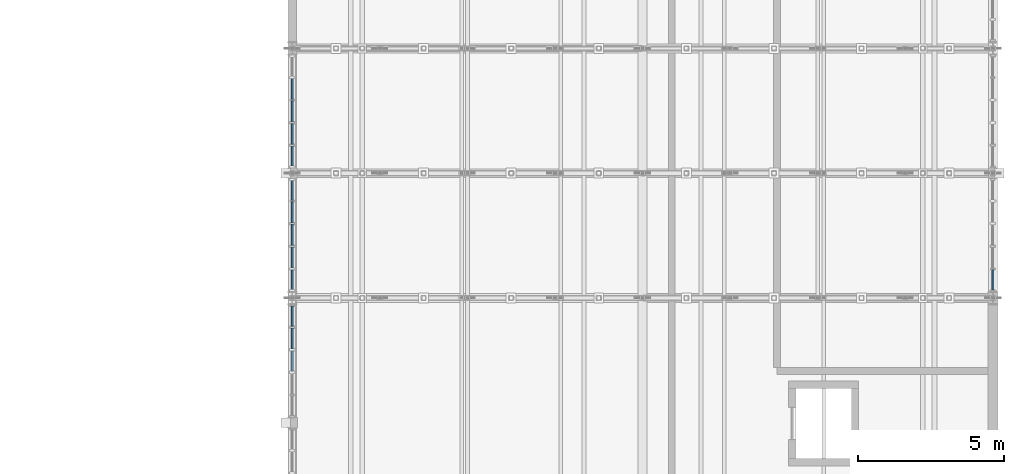
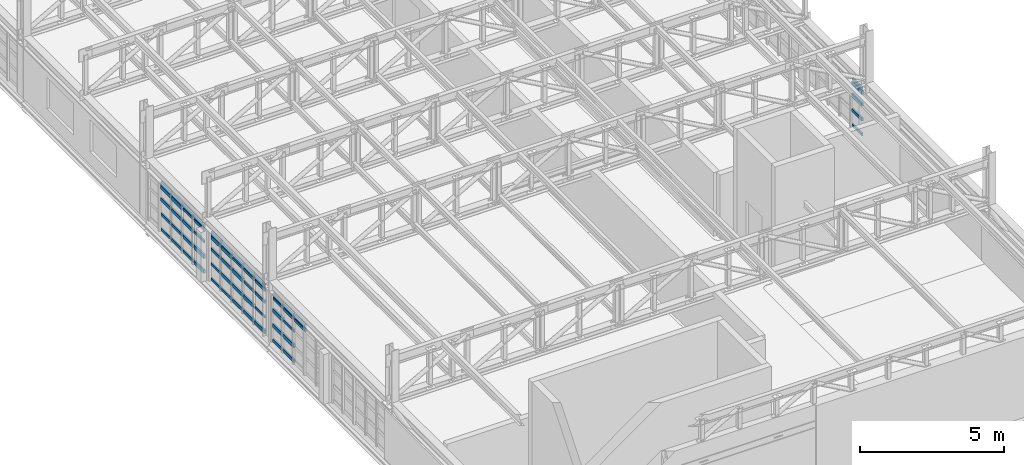
# One storey, part 76 of 128: 62 members, 4 elements without a shape of their own.
"""IFC4 building model written with IfcOpenShell, lengths in metres."""

import ifcopenshell
import ifcopenshell.guid

model = None  # the IFC model being written
_history = None  # IfcOwnerHistory: only IFC2X3 demands one
_inside = {}  # id of a spatial element -> (the spatial element, [elements in it])
_under = {}  # id of a project, library or spatial element -> (it, [spatial elements below it])
_declared = {}  # id of a project -> (the project, [libraries it declares])
_typed = {}  # id of a type object -> (the type object, [elements of that type])
_made_of = {}  # id of a material, layer set ... -> (it, [elements and type objects made of it])


def new_model(schema):
    """Start an empty IFC model of exactly this schema.

    Asked for "IFC4X3", IfcOpenShell would pick the latest addendum, in which some entities
    have other attributes; the version numbers below select the first issue.
    IFC2X3 requires an IfcOwnerHistory on every rooted entity: one is made here for all.
    """
    global model, _history
    if schema == "IFC4X3":
        model = ifcopenshell.file(schema_version=(4, 3, 0, 0))
    else:
        model = ifcopenshell.file(schema=schema)
    _inside.clear()
    _under.clear()
    _declared.clear()
    _typed.clear()
    _made_of.clear()
    _history = None
    if model.schema == "IFC2X3":
        org = make("IfcOrganization", Name="unknown")
        user = make(
            "IfcPersonAndOrganization",
            ThePerson=make("IfcPerson", FamilyName="unknown"),
            TheOrganization=org,
        )
        app = make(
            "IfcApplication",
            ApplicationDeveloper=org,
            Version="unknown",
            ApplicationFullName="unknown",
            ApplicationIdentifier="unknown",
        )
        _history = make(
            "IfcOwnerHistory",
            OwningUser=user,
            OwningApplication=app,
            ChangeAction="ADDED",
            CreationDate=0,
        )
    return model


def make(cls, **values):
    """One entity of the class cls with the attributes given. An attribute that is None is left unset."""
    return model.create_entity(
        cls, **{name: value for name, value in values.items() if value is not None}
    )


def rooted(cls, **values):
    """An entity with a GlobalId (a new one), such as an element, a storey or a relation."""
    return make(cls, GlobalId=ifcopenshell.guid.new(), OwnerHistory=_history, **values)


def si_unit(unit_type, name, prefix=None):
    """IfcSIUnit, for example si_unit("LENGTHUNIT", "METRE", prefix="MILLI")."""
    return make("IfcSIUnit", UnitType=unit_type, Prefix=prefix, Name=name)


def assignment(units):
    """IfcUnitAssignment: the units of a project."""
    return None if units is None else make("IfcUnitAssignment", Units=units)


def point(xyz):
    """IfcCartesianPoint."""
    return None if xyz is None else make("IfcCartesianPoint", Coordinates=xyz)


def direction(xyz):
    """IfcDirection."""
    return None if xyz is None else make("IfcDirection", DirectionRatios=xyz)


def frame(location, z_axis=None, x_axis=None):
    """IfcAxis2Placement3D, a coordinate frame: its origin and axes. An axis left out is left unset."""
    return make(
        "IfcAxis2Placement3D",
        Location=point(location),
        Axis=direction(z_axis),
        RefDirection=direction(x_axis),
    )


def frame_2d(location, x_axis=None):
    """IfcAxis2Placement2D, a coordinate frame in the plane: its origin and x axis."""
    return make(
        "IfcAxis2Placement2D", Location=point(location), RefDirection=direction(x_axis)
    )


def origin():
    """The frame at (0, 0, 0) with its axes left unset."""
    return frame((0.0, 0.0, 0.0))


def origin_2d():
    """The frame at (0, 0) in the plane with its x axis left unset."""
    return frame_2d((0.0, 0.0))


def place(relative_to, where):
    """IfcLocalPlacement: puts the frame where relative to a parent placement (None: the world)."""
    return make(
        "IfcLocalPlacement", PlacementRelTo=relative_to, RelativePlacement=where
    )


def context(
    kind, dimensions, precision=None, world=None, true_north=None, identifier=None
):
    """IfcGeometricRepresentationContext, for example the 3D "Model" context."""
    return make(
        "IfcGeometricRepresentationContext",
        ContextIdentifier=identifier,
        ContextType=kind,
        CoordinateSpaceDimension=dimensions,
        Precision=precision,
        WorldCoordinateSystem=world,
        TrueNorth=true_north,
    )


def subcontext(parent, identifier, kind, view, scale=None):
    """IfcGeometricRepresentationSubContext, for example "Body" below "Model"."""
    return make(
        "IfcGeometricRepresentationSubContext",
        ContextIdentifier=identifier,
        ContextType=kind,
        ParentContext=parent,
        TargetScale=scale,
        TargetView=view,
    )


def project(units=None, contexts=None):
    """IfcProject with its units and contexts."""
    return rooted(
        "IfcProject",
        Name="project",
        RepresentationContexts=contexts,
        UnitsInContext=assignment(units),
    )


def spatial(cls, under=None, at=None, **own):
    """A site, building, storey or space (cls), placed at a placement, below another one or the project."""
    s = rooted(cls, ObjectPlacement=at, **own)
    if under is not None:
        _under.setdefault(under.id(), (under, []))[1].append(s)
    return s


def profile(cls, at=None, kind="AREA", **sizes):
    """A parametric profile (cls). Its sizes go by their IFC names, for example OverallWidth=200.0."""
    return make(cls, ProfileType=kind, Position=at, **sizes)


def rectangle(**sizes):
    """IfcRectangleProfileDef."""
    return profile("IfcRectangleProfileDef", **sizes)


def extrude(swept, where, along, depth):
    """IfcExtrudedAreaSolid: the profile swept, set in the frame where, extruded along a direction by depth."""
    return make(
        "IfcExtrudedAreaSolid",
        SweptArea=swept,
        Position=where,
        ExtrudedDirection=direction(along),
        Depth=depth,
    )


def shape(context_of_items, identifier, shape_type, items):
    """IfcShapeRepresentation: the items that make up one representation, for example the "Body"."""
    return make(
        "IfcShapeRepresentation",
        ContextOfItems=context_of_items,
        RepresentationIdentifier=identifier,
        RepresentationType=shape_type,
        Items=items,
    )


def material(Name=None, Category=None):
    """IfcMaterial."""
    return make("IfcMaterial", Name=Name, Category=Category)


def material_profile(
    of_material, cross_section, Name=None, Category=None, Priority=None
):
    """IfcMaterialProfile: a cross section and its material."""
    return make(
        "IfcMaterialProfile",
        Name=Name,
        Material=of_material,
        Profile=cross_section,
        Priority=Priority,
        Category=Category,
    )


def profile_set(profiles, Name=None, composite=None):
    """IfcMaterialProfileSet."""
    return make(
        "IfcMaterialProfileSet",
        Name=Name,
        MaterialProfiles=profiles,
        CompositeProfile=composite,
    )


def made_of(thing, what):
    """Note that an element or type object is made of a material, layer set ...; save() writes the relation."""
    if what is not None:
        _made_of.setdefault(what.id(), (what, []))[1].append(thing)
    return thing


def type_object(cls, material=None, **own):
    """A type object (cls), such as IfcWallType, which elements share."""
    return made_of(rooted(cls, **own), material)


def element(
    cls,
    number,
    at=None,
    inside=None,
    cuts=None,
    type_object=None,
    material=None,
    context=None,
    identifier="Body",
    shape_type=None,
    held_by="IfcProductDefinitionShape",
    body=None,
    shapes=None,
    **own,
):
    """One element of the class cls, such as IfcWall. Its Tag is "e" and its number.

    at: its placement. inside: the storey or other place that contains it. cuts: it is an
    opening in that element (IfcRelVoidsElement). A single representation is given by context,
    identifier, shape_type and body (its items); several are given by shapes. held_by: the class
    of the entity that holds the representations. save() writes the other relations.
    """
    e = rooted(cls, Tag="e%d" % number, ObjectPlacement=at, **own)
    if body is not None:
        shapes = [shape(context, identifier, shape_type, body)]
    if shapes is not None:
        e.Representation = make(held_by, Representations=shapes)
    if inside is not None:
        _inside.setdefault(inside.id(), (inside, []))[1].append(e)
    if cuts is not None:
        rooted(
            "IfcRelVoidsElement", RelatingBuildingElement=cuts, RelatedOpeningElement=e
        )
    if type_object is not None:
        _typed.setdefault(type_object.id(), (type_object, []))[1].append(e)
    return made_of(e, material)


def aggregate(whole, parts):
    """IfcRelAggregates: a whole, such as a stair, and the parts it consists of."""
    return rooted("IfcRelAggregates", RelatingObject=whole, RelatedObjects=parts)


def save(model, path):
    """Write the relations noted so far, then the file.

    IfcRelAggregates (storeys below a building ...), IfcRelContainedInSpatialStructure (elements
    in a storey), IfcRelDefinesByType, IfcRelAssociatesMaterial and IfcRelDeclares: one each for
    every whole, place, type object, material and project.
    """
    for whole, parts in _under.values():
        aggregate(whole, parts)
    for where, things in _inside.values():
        rooted(
            "IfcRelContainedInSpatialStructure",
            RelatedElements=things,
            RelatingStructure=where,
        )
    for kind, things in _typed.values():
        rooted("IfcRelDefinesByType", RelatedObjects=things, RelatingType=kind)
    for what, things in _made_of.values():
        rooted("IfcRelAssociatesMaterial", RelatedObjects=things, RelatingMaterial=what)
    for by, libraries in _declared.values():
        rooted("IfcRelDeclares", RelatingContext=by, RelatedDefinitions=libraries)
    model.write(path)


model = new_model("IFC4")

# Units and contexts
model_context = context("Model", 3, precision=1e-05, world=origin(), true_north=direction((0.0, 1.0)))
body_context = subcontext(model_context, "Body", "Model", "MODEL_VIEW")
ifc_project = project(units=[si_unit("LENGTHUNIT", "METRE"), si_unit("AREAUNIT", "SQUARE_METRE"), si_unit("VOLUMEUNIT", "CUBIC_METRE"), si_unit("PLANEANGLEUNIT", "RADIAN"), si_unit("MASSUNIT", "GRAM", prefix="KILO")], contexts=[model_context])

# Site, building, storey
site_placement = place(None, origin())
site = spatial("IfcSite", under=ifc_project, at=site_placement, CompositionType="ELEMENT")
building_placement = place(site_placement, origin())
building = spatial("IfcBuilding", under=site, at=building_placement, Name="Serraforn Aerial Cableway Station", CompositionType="ELEMENT")
storey_placement = place(building_placement, frame((0.0, 0.0, 9.0)))
storey = spatial("IfcBuildingStorey", under=building, at=storey_placement, Name="L02", CompositionType="ELEMENT", Elevation=9.0)

# Curtain wall, members
ifc_material_1 = material(Name="Anodised bronze unitised curtain wall")
curtain_wall_type_1 = type_object("IfcCurtainWallType", Name="CW-SYS-23", PredefinedType="USERDEFINED", material=ifc_material_1)
curtain_wall_1_placement = place(storey_placement, origin())
curtain_wall_1 = element("IfcCurtainWall", 1, at=curtain_wall_1_placement, inside=storey, type_object=curtain_wall_type_1, Name="Unitised Curtain Wall CW-EG-L02-W2A", ObjectType="UNITISED CURTAIN WALL", PredefinedType="USERDEFINED")
ifc_material_2 = material(Name="Anodised bronze extruded aluminium", Category="aluminium")
ifc_material_profile_1 = material_profile(ifc_material_2, rectangle(XDim=0.054931640625, YDim=0.110107421875, at=origin_2d()), Name="CW TRANSOM 55x110")
ifc_profile_set_1 = profile_set([ifc_material_profile_1], Name="Anodised bronze extruded aluminium")
member_type_1 = type_object("IfcMemberType", Name="CW-TRN-1", PredefinedType="USERDEFINED", material=ifc_profile_set_1)
member_1_placement = place(storey_placement, frame((144.0, 62.4189453125, 1.865478515625), z_axis=(0.0, -1.0, 0.0), x_axis=(1.0, 0.0, 0.0)))
member_1 = element("IfcMember", 2, at=member_1_placement, type_object=member_type_1, Name="Curtain Wall Transom CW-EG-L02-W2A-T1-4", ObjectType="TRANSOM", PredefinedType="USERDEFINED", context=body_context, shape_type="SweptSolid", body=[
    extrude(rectangle(XDim=0.054931640625, YDim=0.110107421875, at=origin_2d()), origin(), (0.0, 0.0, 1.0), 0.685791015625),
])
member_2_placement = place(storey_placement, frame((144.0, 61.672119140625, 1.356689453125), z_axis=(0.0, -1.0, 0.0), x_axis=(1.0, 0.0, 0.0)))
member_2 = element("IfcMember", 3, at=member_2_placement, type_object=member_type_1, Name="Curtain Wall Transom CW-EG-L02-W2A-T2-3", ObjectType="TRANSOM", PredefinedType="USERDEFINED", context=body_context, shape_type="SweptSolid", body=[
    extrude(rectangle(XDim=0.054931640625, YDim=0.110107421875, at=origin_2d()), origin(), (0.0, 0.0, 1.0), 0.7109375),
])

curtain_wall_type_2 = type_object("IfcCurtainWallType", Name="CW-SYS-25", PredefinedType="USERDEFINED", material=ifc_material_1)
curtain_wall_2_placement = place(storey_placement, origin())
curtain_wall_2 = element("IfcCurtainWall", 4, at=curtain_wall_2_placement, inside=storey, type_object=curtain_wall_type_2, Name="Unitised Curtain Wall CW-EG-L02-W3A", ObjectType="UNITISED CURTAIN WALL", PredefinedType="USERDEFINED")
member_3_placement = place(storey_placement, frame((144.0, 70.217041015625, 0.084716796875), z_axis=(0.0, -1.0, 0.0), x_axis=(1.0, 0.0, 0.0)))
member_3 = element("IfcMember", 5, at=member_3_placement, type_object=member_type_1, Name="Curtain Wall Transom CW-EG-L02-W3A-T2-1", ObjectType="TRANSOM", PredefinedType="USERDEFINED", context=body_context, shape_type="SweptSolid", body=[
    extrude(rectangle(XDim=0.054931640625, YDim=0.110107421875, at=origin_2d()), origin(), (0.0, 0.0, 1.0), 0.71337890625),
])
member_4_placement = place(storey_placement, frame((144.0, 69.45263671875, 2.03515625), z_axis=(0.0, -1.0, 0.0), x_axis=(1.0, 0.0, 0.0)))
member_4 = element("IfcMember", 6, at=member_4_placement, type_object=member_type_1, Name="Curtain Wall Transom CW-EG-L02-W3A-T3-5", ObjectType="TRANSOM", PredefinedType="USERDEFINED", context=body_context, shape_type="SweptSolid", body=[
    extrude(rectangle(XDim=0.054931640625, YDim=0.110107421875, at=origin_2d()), origin(), (0.0, 0.0, 1.0), 0.720947265625),
])
member_5_placement = place(storey_placement, frame((144.0, 68.67578125, 1.865478515625), z_axis=(0.0, -1.0, 0.0), x_axis=(1.0, 0.0, 0.0)))
member_5 = element("IfcMember", 7, at=member_5_placement, type_object=member_type_1, Name="Curtain Wall Transom CW-EG-L02-W3A-T4-4", ObjectType="TRANSOM", PredefinedType="USERDEFINED", context=body_context, shape_type="SweptSolid", body=[
    extrude(rectangle(XDim=0.054931640625, YDim=0.110107421875, at=origin_2d()), origin(), (0.0, 0.0, 1.0), 0.7158203125),
])
member_6_placement = place(storey_placement, frame((144.0, 67.89892578125, 1.356689453125), z_axis=(0.0, -1.0, 0.0), x_axis=(1.0, 0.0, 0.0)))
member_6 = element("IfcMember", 8, at=member_6_placement, type_object=member_type_1, Name="Curtain Wall Transom CW-EG-L02-W3A-T5-3", ObjectType="TRANSOM", PredefinedType="USERDEFINED", context=body_context, shape_type="SweptSolid", body=[
    extrude(rectangle(XDim=0.054931640625, YDim=0.110107421875, at=origin_2d()), origin(), (0.0, 0.0, 1.0), 0.676025390625),
])

curtain_wall_type_3 = type_object("IfcCurtainWallType", Name="CW-SYS-26", PredefinedType="USERDEFINED", material=ifc_material_1)
curtain_wall_3_placement = place(storey_placement, origin())
curtain_wall_3 = element("IfcCurtainWall", 9, at=curtain_wall_3_placement, inside=storey, type_object=curtain_wall_type_3, Name="Unitised Curtain Wall CW-EG-L02-W3B", ObjectType="UNITISED CURTAIN WALL", PredefinedType="USERDEFINED")
member_7_placement = place(storey_placement, frame((144.0, 66.721923828125, 0.084716796875), z_axis=(0.0, -1.0, 0.0), x_axis=(1.0, 0.0, 0.0)))
member_7 = element("IfcMember", 10, at=member_7_placement, type_object=member_type_1, Name="Curtain Wall Transom CW-EG-L02-W3B-T1-1", ObjectType="TRANSOM", PredefinedType="USERDEFINED", context=body_context, shape_type="SweptSolid", body=[
    extrude(rectangle(XDim=0.054931640625, YDim=0.110107421875, at=origin_2d()), origin(), (0.0, 0.0, 1.0), 0.67578125),
])
member_8_placement = place(storey_placement, frame((144.0, 65.9951171875, 2.03515625), z_axis=(0.0, -1.0, 0.0), x_axis=(1.0, 0.0, 0.0)))
member_8 = element("IfcMember", 11, at=member_8_placement, type_object=member_type_1, Name="Curtain Wall Transom CW-EG-L02-W3B-T2-5", ObjectType="TRANSOM", PredefinedType="USERDEFINED", context=body_context, shape_type="SweptSolid", body=[
    extrude(rectangle(XDim=0.054931640625, YDim=0.110107421875, at=origin_2d()), origin(), (0.0, 0.0, 1.0), 0.720947265625),
])
member_9_placement = place(storey_placement, frame((144.0, 65.21826171875, 1.865478515625), z_axis=(0.0, -1.0, 0.0), x_axis=(1.0, 0.0, 0.0)))
member_9 = element("IfcMember", 12, at=member_9_placement, type_object=member_type_1, Name="Curtain Wall Transom CW-EG-L02-W3B-T3-4", ObjectType="TRANSOM", PredefinedType="USERDEFINED", context=body_context, shape_type="SweptSolid", body=[
    extrude(rectangle(XDim=0.054931640625, YDim=0.110107421875, at=origin_2d()), origin(), (0.0, 0.0, 1.0), 0.716064453125),
])
member_10_placement = place(storey_placement, frame((144.0, 64.44140625, 1.356689453125), z_axis=(0.0, -1.0, 0.0), x_axis=(1.0, 0.0, 0.0)))
member_10 = element("IfcMember", 13, at=member_10_placement, type_object=member_type_1, Name="Curtain Wall Transom CW-EG-L02-W3B-T4-3", ObjectType="TRANSOM", PredefinedType="USERDEFINED", context=body_context, shape_type="SweptSolid", body=[
    extrude(rectangle(XDim=0.054931640625, YDim=0.110107421875, at=origin_2d()), origin(), (0.0, 0.0, 1.0), 0.7109375),
])
member_11_placement = place(storey_placement, frame((144.0, 63.664306640625, 0.720703125), z_axis=(0.0, -1.0, 0.0), x_axis=(1.0, 0.0, 0.0)))
member_11 = element("IfcMember", 14, at=member_11_placement, type_object=member_type_1, Name="Curtain Wall Transom CW-EG-L02-W3B-T5-2", ObjectType="TRANSOM", PredefinedType="USERDEFINED", context=body_context, shape_type="SweptSolid", body=[
    extrude(rectangle(XDim=0.054931640625, YDim=0.110107421875, at=origin_2d()), origin(), (0.0, 0.0, 1.0), 0.668212890625),
])

# Curtain wall, member
curtain_wall_type_4 = type_object("IfcCurtainWallType", Name="CW-SYS-27", PredefinedType="USERDEFINED", material=ifc_material_1)
curtain_wall_4_placement = place(storey_placement, origin())
curtain_wall_4 = element("IfcCurtainWall", 15, at=curtain_wall_4_placement, inside=storey, type_object=curtain_wall_type_4, Name="Unitised Curtain Wall CW-EG-L02-E3A", ObjectType="UNITISED CURTAIN WALL", PredefinedType="USERDEFINED")
member_12_placement = place(storey_placement, frame((168.0, 62.97607421875, 2.03515625), z_axis=(0.0, 1.0, 0.0), x_axis=(-1.0, 0.0, 0.0)))
member_12 = element("IfcMember", 16, at=member_12_placement, type_object=member_type_1, Name="Curtain Wall Transom CW-EG-L02-E3A-T1-5", ObjectType="TRANSOM", PredefinedType="USERDEFINED", context=body_context, shape_type="SweptSolid", body=[
    extrude(rectangle(XDim=0.054931640625, YDim=0.110107421875, at=origin_2d()), origin(), (0.0, 0.0, 1.0), 0.693359375),
])

# Member
ifc_material_profile_2 = material_profile(ifc_material_2, rectangle(XDim=0.06005859375, YDim=0.1201171875, at=origin_2d()), Name="CW TRANSOM 60x120")
ifc_profile_set_2 = profile_set([ifc_material_profile_2], Name="Anodised bronze extruded aluminium")
member_type_2 = type_object("IfcMemberType", Name="CW-TRN-2", PredefinedType="USERDEFINED", material=ifc_profile_set_2)
member_13_placement = place(storey_placement, frame((144.0, 62.4189453125, 2.03515625), z_axis=(0.0, -1.0, 0.0), x_axis=(1.0, 0.0, 0.0)))
member_13 = element("IfcMember", 17, at=member_13_placement, type_object=member_type_2, Name="Curtain Wall Transom CW-EG-L02-W2A-T1-5", ObjectType="TRANSOM", PredefinedType="USERDEFINED", context=body_context, shape_type="SweptSolid", body=[
    extrude(rectangle(XDim=0.06005859375, YDim=0.1201171875, at=origin_2d()), origin(), (0.0, 0.0, 1.0), 0.685791015625),
])

member_14_placement = place(storey_placement, frame((144.0, 61.672119140625, 1.865478515625), z_axis=(0.0, -1.0, 0.0), x_axis=(1.0, 0.0, 0.0)))
member_14 = element("IfcMember", 18, at=member_14_placement, type_object=member_type_2, Name="Curtain Wall Transom CW-EG-L02-W2A-T2-4", ObjectType="TRANSOM", PredefinedType="USERDEFINED", context=body_context, shape_type="SweptSolid", body=[
    extrude(rectangle(XDim=0.06005859375, YDim=0.1201171875, at=origin_2d()), origin(), (0.0, 0.0, 1.0), 0.7109375),
])

member_15_placement = place(storey_placement, frame((144.0, 70.217041015625, 0.720703125), z_axis=(0.0, -1.0, 0.0), x_axis=(1.0, 0.0, 0.0)))
member_15 = element("IfcMember", 19, at=member_15_placement, type_object=member_type_2, Name="Curtain Wall Transom CW-EG-L02-W3A-T2-2", ObjectType="TRANSOM", PredefinedType="USERDEFINED", context=body_context, shape_type="SweptSolid", body=[
    extrude(rectangle(XDim=0.06005859375, YDim=0.1201171875, at=origin_2d()), origin(), (0.0, 0.0, 1.0), 0.71337890625),
])

member_16_placement = place(storey_placement, frame((144.0, 69.45263671875, 0.084716796875), z_axis=(0.0, -1.0, 0.0), x_axis=(1.0, 0.0, 0.0)))
member_16 = element("IfcMember", 20, at=member_16_placement, type_object=member_type_2, Name="Curtain Wall Transom CW-EG-L02-W3A-T3-1", ObjectType="TRANSOM", PredefinedType="USERDEFINED", context=body_context, shape_type="SweptSolid", body=[
    extrude(rectangle(XDim=0.06005859375, YDim=0.1201171875, at=origin_2d()), origin(), (0.0, 0.0, 1.0), 0.720947265625),
])

member_17_placement = place(storey_placement, frame((144.0, 68.67578125, 2.03515625), z_axis=(0.0, -1.0, 0.0), x_axis=(1.0, 0.0, 0.0)))
member_17 = element("IfcMember", 21, at=member_17_placement, type_object=member_type_2, Name="Curtain Wall Transom CW-EG-L02-W3A-T4-5", ObjectType="TRANSOM", PredefinedType="USERDEFINED", context=body_context, shape_type="SweptSolid", body=[
    extrude(rectangle(XDim=0.06005859375, YDim=0.1201171875, at=origin_2d()), origin(), (0.0, 0.0, 1.0), 0.7158203125),
])

member_18_placement = place(storey_placement, frame((144.0, 67.89892578125, 1.865478515625), z_axis=(0.0, -1.0, 0.0), x_axis=(1.0, 0.0, 0.0)))
member_18 = element("IfcMember", 22, at=member_18_placement, type_object=member_type_2, Name="Curtain Wall Transom CW-EG-L02-W3A-T5-4", ObjectType="TRANSOM", PredefinedType="USERDEFINED", context=body_context, shape_type="SweptSolid", body=[
    extrude(rectangle(XDim=0.06005859375, YDim=0.1201171875, at=origin_2d()), origin(), (0.0, 0.0, 1.0), 0.676025390625),
])

member_19_placement = place(storey_placement, frame((144.0, 66.721923828125, 0.720703125), z_axis=(0.0, -1.0, 0.0), x_axis=(1.0, 0.0, 0.0)))
member_19 = element("IfcMember", 23, at=member_19_placement, type_object=member_type_2, Name="Curtain Wall Transom CW-EG-L02-W3B-T1-2", ObjectType="TRANSOM", PredefinedType="USERDEFINED", context=body_context, shape_type="SweptSolid", body=[
    extrude(rectangle(XDim=0.06005859375, YDim=0.1201171875, at=origin_2d()), origin(), (0.0, 0.0, 1.0), 0.67578125),
])

member_20_placement = place(storey_placement, frame((144.0, 65.9951171875, 0.084716796875), z_axis=(0.0, -1.0, 0.0), x_axis=(1.0, 0.0, 0.0)))
member_20 = element("IfcMember", 24, at=member_20_placement, type_object=member_type_2, Name="Curtain Wall Transom CW-EG-L02-W3B-T2-1", ObjectType="TRANSOM", PredefinedType="USERDEFINED", context=body_context, shape_type="SweptSolid", body=[
    extrude(rectangle(XDim=0.06005859375, YDim=0.1201171875, at=origin_2d()), origin(), (0.0, 0.0, 1.0), 0.720947265625),
])

member_21_placement = place(storey_placement, frame((144.0, 65.21826171875, 2.03515625), z_axis=(0.0, -1.0, 0.0), x_axis=(1.0, 0.0, 0.0)))
member_21 = element("IfcMember", 25, at=member_21_placement, type_object=member_type_2, Name="Curtain Wall Transom CW-EG-L02-W3B-T3-5", ObjectType="TRANSOM", PredefinedType="USERDEFINED", context=body_context, shape_type="SweptSolid", body=[
    extrude(rectangle(XDim=0.06005859375, YDim=0.1201171875, at=origin_2d()), origin(), (0.0, 0.0, 1.0), 0.716064453125),
])

member_22_placement = place(storey_placement, frame((144.0, 64.44140625, 1.865478515625), z_axis=(0.0, -1.0, 0.0), x_axis=(1.0, 0.0, 0.0)))
member_22 = element("IfcMember", 26, at=member_22_placement, type_object=member_type_2, Name="Curtain Wall Transom CW-EG-L02-W3B-T4-4", ObjectType="TRANSOM", PredefinedType="USERDEFINED", context=body_context, shape_type="SweptSolid", body=[
    extrude(rectangle(XDim=0.06005859375, YDim=0.1201171875, at=origin_2d()), origin(), (0.0, 0.0, 1.0), 0.7109375),
])

member_23_placement = place(storey_placement, frame((144.0, 63.664306640625, 1.356689453125), z_axis=(0.0, -1.0, 0.0), x_axis=(1.0, 0.0, 0.0)))
member_23 = element("IfcMember", 27, at=member_23_placement, type_object=member_type_2, Name="Curtain Wall Transom CW-EG-L02-W3B-T5-3", ObjectType="TRANSOM", PredefinedType="USERDEFINED", context=body_context, shape_type="SweptSolid", body=[
    extrude(rectangle(XDim=0.06005859375, YDim=0.1201171875, at=origin_2d()), origin(), (0.0, 0.0, 1.0), 0.668212890625),
])

member_24_placement = place(storey_placement, frame((168.0, 62.97607421875, 0.084716796875), z_axis=(0.0, 1.0, 0.0), x_axis=(-1.0, 0.0, 0.0)))
member_24 = element("IfcMember", 28, at=member_24_placement, type_object=member_type_2, Name="Curtain Wall Transom CW-EG-L02-E3A-T1-1", ObjectType="TRANSOM", PredefinedType="USERDEFINED", context=body_context, shape_type="SweptSolid", body=[
    extrude(rectangle(XDim=0.06005859375, YDim=0.1201171875, at=origin_2d()), origin(), (0.0, 0.0, 1.0), 0.693359375),
])

ifc_material_profile_3 = material_profile(ifc_material_2, rectangle(XDim=0.06494140625, YDim=0.135009765625, at=origin_2d()), Name="CW TRANSOM 65x135")
ifc_profile_set_3 = profile_set([ifc_material_profile_3], Name="Anodised bronze extruded aluminium")
member_type_3 = type_object("IfcMemberType", Name="CW-TRN-3", PredefinedType="USERDEFINED", material=ifc_profile_set_3)
member_25_placement = place(storey_placement, frame((144.0, 62.4189453125, 0.084716796875), z_axis=(0.0, -1.0, 0.0), x_axis=(1.0, 0.0, 0.0)))
member_25 = element("IfcMember", 29, at=member_25_placement, type_object=member_type_3, Name="Curtain Wall Transom CW-EG-L02-W2A-T1-1", ObjectType="TRANSOM", PredefinedType="USERDEFINED", context=body_context, shape_type="SweptSolid", body=[
    extrude(rectangle(XDim=0.06494140625, YDim=0.135009765625, at=origin_2d()), origin(), (0.0, 0.0, 1.0), 0.685791015625),
])

member_26_placement = place(storey_placement, frame((144.0, 61.672119140625, 2.03515625), z_axis=(0.0, -1.0, 0.0), x_axis=(1.0, 0.0, 0.0)))
member_26 = element("IfcMember", 30, at=member_26_placement, type_object=member_type_3, Name="Curtain Wall Transom CW-EG-L02-W2A-T2-5", ObjectType="TRANSOM", PredefinedType="USERDEFINED", context=body_context, shape_type="SweptSolid", body=[
    extrude(rectangle(XDim=0.06494140625, YDim=0.135009765625, at=origin_2d()), origin(), (0.0, 0.0, 1.0), 0.7109375),
])

member_27_placement = place(storey_placement, frame((144.0, 60.895263671875, 1.865478515625), z_axis=(0.0, -1.0, 0.0), x_axis=(1.0, 0.0, 0.0)))
member_27 = element("IfcMember", 31, at=member_27_placement, type_object=member_type_3, Name="Curtain Wall Transom CW-EG-L02-W2A-T3-4", ObjectType="TRANSOM", PredefinedType="USERDEFINED", context=body_context, shape_type="SweptSolid", body=[
    extrude(rectangle(XDim=0.06494140625, YDim=0.135009765625, at=origin_2d()), origin(), (0.0, 0.0, 1.0), 0.7060546875),
])

member_28_placement = place(storey_placement, frame((144.0, 70.217041015625, 1.356689453125), z_axis=(0.0, -1.0, 0.0), x_axis=(1.0, 0.0, 0.0)))
member_28 = element("IfcMember", 32, at=member_28_placement, type_object=member_type_3, Name="Curtain Wall Transom CW-EG-L02-W3A-T2-3", ObjectType="TRANSOM", PredefinedType="USERDEFINED", context=body_context, shape_type="SweptSolid", body=[
    extrude(rectangle(XDim=0.06494140625, YDim=0.135009765625, at=origin_2d()), origin(), (0.0, 0.0, 1.0), 0.71337890625),
])

member_29_placement = place(storey_placement, frame((144.0, 69.45263671875, 0.720703125), z_axis=(0.0, -1.0, 0.0), x_axis=(1.0, 0.0, 0.0)))
member_29 = element("IfcMember", 33, at=member_29_placement, type_object=member_type_3, Name="Curtain Wall Transom CW-EG-L02-W3A-T3-2", ObjectType="TRANSOM", PredefinedType="USERDEFINED", context=body_context, shape_type="SweptSolid", body=[
    extrude(rectangle(XDim=0.06494140625, YDim=0.135009765625, at=origin_2d()), origin(), (0.0, 0.0, 1.0), 0.720947265625),
])

member_30_placement = place(storey_placement, frame((144.0, 68.67578125, 0.084716796875), z_axis=(0.0, -1.0, 0.0), x_axis=(1.0, 0.0, 0.0)))
member_30 = element("IfcMember", 34, at=member_30_placement, type_object=member_type_3, Name="Curtain Wall Transom CW-EG-L02-W3A-T4-1", ObjectType="TRANSOM", PredefinedType="USERDEFINED", context=body_context, shape_type="SweptSolid", body=[
    extrude(rectangle(XDim=0.06494140625, YDim=0.135009765625, at=origin_2d()), origin(), (0.0, 0.0, 1.0), 0.7158203125),
])

member_31_placement = place(storey_placement, frame((144.0, 67.89892578125, 2.03515625), z_axis=(0.0, -1.0, 0.0), x_axis=(1.0, 0.0, 0.0)))
member_31 = element("IfcMember", 35, at=member_31_placement, type_object=member_type_3, Name="Curtain Wall Transom CW-EG-L02-W3A-T5-5", ObjectType="TRANSOM", PredefinedType="USERDEFINED", context=body_context, shape_type="SweptSolid", body=[
    extrude(rectangle(XDim=0.06494140625, YDim=0.135009765625, at=origin_2d()), origin(), (0.0, 0.0, 1.0), 0.676025390625),
])

member_32_placement = place(storey_placement, frame((144.0, 66.721923828125, 1.356689453125), z_axis=(0.0, -1.0, 0.0), x_axis=(1.0, 0.0, 0.0)))
member_32 = element("IfcMember", 36, at=member_32_placement, type_object=member_type_3, Name="Curtain Wall Transom CW-EG-L02-W3B-T1-3", ObjectType="TRANSOM", PredefinedType="USERDEFINED", context=body_context, shape_type="SweptSolid", body=[
    extrude(rectangle(XDim=0.06494140625, YDim=0.135009765625, at=origin_2d()), origin(), (0.0, 0.0, 1.0), 0.67578125),
])

member_33_placement = place(storey_placement, frame((144.0, 65.9951171875, 0.720703125), z_axis=(0.0, -1.0, 0.0), x_axis=(1.0, 0.0, 0.0)))
member_33 = element("IfcMember", 37, at=member_33_placement, type_object=member_type_3, Name="Curtain Wall Transom CW-EG-L02-W3B-T2-2", ObjectType="TRANSOM", PredefinedType="USERDEFINED", context=body_context, shape_type="SweptSolid", body=[
    extrude(rectangle(XDim=0.06494140625, YDim=0.135009765625, at=origin_2d()), origin(), (0.0, 0.0, 1.0), 0.720947265625),
])

member_34_placement = place(storey_placement, frame((144.0, 65.21826171875, 0.084716796875), z_axis=(0.0, -1.0, 0.0), x_axis=(1.0, 0.0, 0.0)))
member_34 = element("IfcMember", 38, at=member_34_placement, type_object=member_type_3, Name="Curtain Wall Transom CW-EG-L02-W3B-T3-1", ObjectType="TRANSOM", PredefinedType="USERDEFINED", context=body_context, shape_type="SweptSolid", body=[
    extrude(rectangle(XDim=0.06494140625, YDim=0.135009765625, at=origin_2d()), origin(), (0.0, 0.0, 1.0), 0.716064453125),
])

member_35_placement = place(storey_placement, frame((144.0, 64.44140625, 2.03515625), z_axis=(0.0, -1.0, 0.0), x_axis=(1.0, 0.0, 0.0)))
member_35 = element("IfcMember", 39, at=member_35_placement, type_object=member_type_3, Name="Curtain Wall Transom CW-EG-L02-W3B-T4-5", ObjectType="TRANSOM", PredefinedType="USERDEFINED", context=body_context, shape_type="SweptSolid", body=[
    extrude(rectangle(XDim=0.06494140625, YDim=0.135009765625, at=origin_2d()), origin(), (0.0, 0.0, 1.0), 0.7109375),
])

member_36_placement = place(storey_placement, frame((144.0, 63.664306640625, 1.865478515625), z_axis=(0.0, -1.0, 0.0), x_axis=(1.0, 0.0, 0.0)))
member_36 = element("IfcMember", 40, at=member_36_placement, type_object=member_type_3, Name="Curtain Wall Transom CW-EG-L02-W3B-T5-4", ObjectType="TRANSOM", PredefinedType="USERDEFINED", context=body_context, shape_type="SweptSolid", body=[
    extrude(rectangle(XDim=0.06494140625, YDim=0.135009765625, at=origin_2d()), origin(), (0.0, 0.0, 1.0), 0.668212890625),
])

member_37_placement = place(storey_placement, frame((168.0, 62.97607421875, 0.720703125), z_axis=(0.0, 1.0, 0.0), x_axis=(-1.0, 0.0, 0.0)))
member_37 = element("IfcMember", 41, at=member_37_placement, type_object=member_type_3, Name="Curtain Wall Transom CW-EG-L02-E3A-T1-2", ObjectType="TRANSOM", PredefinedType="USERDEFINED", context=body_context, shape_type="SweptSolid", body=[
    extrude(rectangle(XDim=0.06494140625, YDim=0.135009765625, at=origin_2d()), origin(), (0.0, 0.0, 1.0), 0.693359375),
])

ifc_material_profile_4 = material_profile(ifc_material_2, rectangle(XDim=0.070068359375, YDim=0.14990234375, at=origin_2d()), Name="CW TRANSOM 70x150")
ifc_profile_set_4 = profile_set([ifc_material_profile_4], Name="Anodised bronze extruded aluminium")
member_type_4 = type_object("IfcMemberType", Name="CW-TRN-4", PredefinedType="USERDEFINED", material=ifc_profile_set_4)
member_38_placement = place(storey_placement, frame((144.0, 62.4189453125, 0.720703125), z_axis=(0.0, -1.0, 0.0), x_axis=(1.0, 0.0, 0.0)))
member_38 = element("IfcMember", 42, at=member_38_placement, type_object=member_type_4, Name="Curtain Wall Transom CW-EG-L02-W2A-T1-2", ObjectType="TRANSOM", PredefinedType="USERDEFINED", context=body_context, shape_type="SweptSolid", body=[
    extrude(rectangle(XDim=0.070068359375, YDim=0.14990234375, at=origin_2d()), origin(), (0.0, 0.0, 1.0), 0.685791015625),
])

member_39_placement = place(storey_placement, frame((144.0, 61.672119140625, 0.084716796875), z_axis=(0.0, -1.0, 0.0), x_axis=(1.0, 0.0, 0.0)))
member_39 = element("IfcMember", 43, at=member_39_placement, type_object=member_type_4, Name="Curtain Wall Transom CW-EG-L02-W2A-T2-1", ObjectType="TRANSOM", PredefinedType="USERDEFINED", context=body_context, shape_type="SweptSolid", body=[
    extrude(rectangle(XDim=0.070068359375, YDim=0.14990234375, at=origin_2d()), origin(), (0.0, 0.0, 1.0), 0.7109375),
])

member_40_placement = place(storey_placement, frame((144.0, 60.895263671875, 2.03515625), z_axis=(0.0, -1.0, 0.0), x_axis=(1.0, 0.0, 0.0)))
member_40 = element("IfcMember", 44, at=member_40_placement, type_object=member_type_4, Name="Curtain Wall Transom CW-EG-L02-W2A-T3-5", ObjectType="TRANSOM", PredefinedType="USERDEFINED", context=body_context, shape_type="SweptSolid", body=[
    extrude(rectangle(XDim=0.070068359375, YDim=0.14990234375, at=origin_2d()), origin(), (0.0, 0.0, 1.0), 0.7060546875),
])

member_41_placement = place(storey_placement, frame((144.0, 70.217041015625, 1.865478515625), z_axis=(0.0, -1.0, 0.0), x_axis=(1.0, 0.0, 0.0)))
member_41 = element("IfcMember", 45, at=member_41_placement, type_object=member_type_4, Name="Curtain Wall Transom CW-EG-L02-W3A-T2-4", ObjectType="TRANSOM", PredefinedType="USERDEFINED", context=body_context, shape_type="SweptSolid", body=[
    extrude(rectangle(XDim=0.070068359375, YDim=0.14990234375, at=origin_2d()), origin(), (0.0, 0.0, 1.0), 0.71337890625),
])

member_42_placement = place(storey_placement, frame((144.0, 69.45263671875, 1.356689453125), z_axis=(0.0, -1.0, 0.0), x_axis=(1.0, 0.0, 0.0)))
member_42 = element("IfcMember", 46, at=member_42_placement, type_object=member_type_4, Name="Curtain Wall Transom CW-EG-L02-W3A-T3-3", ObjectType="TRANSOM", PredefinedType="USERDEFINED", context=body_context, shape_type="SweptSolid", body=[
    extrude(rectangle(XDim=0.070068359375, YDim=0.14990234375, at=origin_2d()), origin(), (0.0, 0.0, 1.0), 0.720947265625),
])

member_43_placement = place(storey_placement, frame((144.0, 68.67578125, 0.720703125), z_axis=(0.0, -1.0, 0.0), x_axis=(1.0, 0.0, 0.0)))
member_43 = element("IfcMember", 47, at=member_43_placement, type_object=member_type_4, Name="Curtain Wall Transom CW-EG-L02-W3A-T4-2", ObjectType="TRANSOM", PredefinedType="USERDEFINED", context=body_context, shape_type="SweptSolid", body=[
    extrude(rectangle(XDim=0.070068359375, YDim=0.14990234375, at=origin_2d()), origin(), (0.0, 0.0, 1.0), 0.7158203125),
])

member_44_placement = place(storey_placement, frame((144.0, 67.89892578125, 0.084716796875), z_axis=(0.0, -1.0, 0.0), x_axis=(1.0, 0.0, 0.0)))
member_44 = element("IfcMember", 48, at=member_44_placement, type_object=member_type_4, Name="Curtain Wall Transom CW-EG-L02-W3A-T5-1", ObjectType="TRANSOM", PredefinedType="USERDEFINED", context=body_context, shape_type="SweptSolid", body=[
    extrude(rectangle(XDim=0.070068359375, YDim=0.14990234375, at=origin_2d()), origin(), (0.0, 0.0, 1.0), 0.676025390625),
])

member_45_placement = place(storey_placement, frame((144.0, 66.721923828125, 1.865478515625), z_axis=(0.0, -1.0, 0.0), x_axis=(1.0, 0.0, 0.0)))
member_45 = element("IfcMember", 49, at=member_45_placement, type_object=member_type_4, Name="Curtain Wall Transom CW-EG-L02-W3B-T1-4", ObjectType="TRANSOM", PredefinedType="USERDEFINED", context=body_context, shape_type="SweptSolid", body=[
    extrude(rectangle(XDim=0.070068359375, YDim=0.14990234375, at=origin_2d()), origin(), (0.0, 0.0, 1.0), 0.67578125),
])

member_46_placement = place(storey_placement, frame((144.0, 65.9951171875, 1.356689453125), z_axis=(0.0, -1.0, 0.0), x_axis=(1.0, 0.0, 0.0)))
member_46 = element("IfcMember", 50, at=member_46_placement, type_object=member_type_4, Name="Curtain Wall Transom CW-EG-L02-W3B-T2-3", ObjectType="TRANSOM", PredefinedType="USERDEFINED", context=body_context, shape_type="SweptSolid", body=[
    extrude(rectangle(XDim=0.070068359375, YDim=0.14990234375, at=origin_2d()), origin(), (0.0, 0.0, 1.0), 0.720947265625),
])

member_47_placement = place(storey_placement, frame((144.0, 65.21826171875, 0.720703125), z_axis=(0.0, -1.0, 0.0), x_axis=(1.0, 0.0, 0.0)))
member_47 = element("IfcMember", 51, at=member_47_placement, type_object=member_type_4, Name="Curtain Wall Transom CW-EG-L02-W3B-T3-2", ObjectType="TRANSOM", PredefinedType="USERDEFINED", context=body_context, shape_type="SweptSolid", body=[
    extrude(rectangle(XDim=0.070068359375, YDim=0.14990234375, at=origin_2d()), origin(), (0.0, 0.0, 1.0), 0.716064453125),
])

member_48_placement = place(storey_placement, frame((144.0, 64.44140625, 0.084716796875), z_axis=(0.0, -1.0, 0.0), x_axis=(1.0, 0.0, 0.0)))
member_48 = element("IfcMember", 52, at=member_48_placement, type_object=member_type_4, Name="Curtain Wall Transom CW-EG-L02-W3B-T4-1", ObjectType="TRANSOM", PredefinedType="USERDEFINED", context=body_context, shape_type="SweptSolid", body=[
    extrude(rectangle(XDim=0.070068359375, YDim=0.14990234375, at=origin_2d()), origin(), (0.0, 0.0, 1.0), 0.7109375),
])

member_49_placement = place(storey_placement, frame((144.0, 63.664306640625, 2.03515625), z_axis=(0.0, -1.0, 0.0), x_axis=(1.0, 0.0, 0.0)))
member_49 = element("IfcMember", 53, at=member_49_placement, type_object=member_type_4, Name="Curtain Wall Transom CW-EG-L02-W3B-T5-5", ObjectType="TRANSOM", PredefinedType="USERDEFINED", context=body_context, shape_type="SweptSolid", body=[
    extrude(rectangle(XDim=0.070068359375, YDim=0.14990234375, at=origin_2d()), origin(), (0.0, 0.0, 1.0), 0.668212890625),
])

member_50_placement = place(storey_placement, frame((168.0, 62.97607421875, 1.356689453125), z_axis=(0.0, 1.0, 0.0), x_axis=(-1.0, 0.0, 0.0)))
member_50 = element("IfcMember", 54, at=member_50_placement, type_object=member_type_4, Name="Curtain Wall Transom CW-EG-L02-E3A-T1-3", ObjectType="TRANSOM", PredefinedType="USERDEFINED", context=body_context, shape_type="SweptSolid", body=[
    extrude(rectangle(XDim=0.070068359375, YDim=0.14990234375, at=origin_2d()), origin(), (0.0, 0.0, 1.0), 0.693359375),
])

ifc_material_profile_5 = material_profile(ifc_material_2, rectangle(XDim=0.074951171875, YDim=0.1650390625, at=origin_2d()), Name="CW TRANSOM 75x165")
ifc_profile_set_5 = profile_set([ifc_material_profile_5], Name="Anodised bronze extruded aluminium")
member_type_5 = type_object("IfcMemberType", Name="CW-TRN-5", PredefinedType="USERDEFINED", material=ifc_profile_set_5)
member_51_placement = place(storey_placement, frame((144.0, 62.4189453125, 1.356689453125), z_axis=(0.0, -1.0, 0.0), x_axis=(1.0, 0.0, 0.0)))
member_51 = element("IfcMember", 55, at=member_51_placement, type_object=member_type_5, Name="Curtain Wall Transom CW-EG-L02-W2A-T1-3", ObjectType="TRANSOM", PredefinedType="USERDEFINED", context=body_context, shape_type="SweptSolid", body=[
    extrude(rectangle(XDim=0.074951171875, YDim=0.1650390625, at=origin_2d()), origin(), (0.0, 0.0, 1.0), 0.685791015625),
])

member_52_placement = place(storey_placement, frame((144.0, 61.672119140625, 0.720703125), z_axis=(0.0, -1.0, 0.0), x_axis=(1.0, 0.0, 0.0)))
member_52 = element("IfcMember", 56, at=member_52_placement, type_object=member_type_5, Name="Curtain Wall Transom CW-EG-L02-W2A-T2-2", ObjectType="TRANSOM", PredefinedType="USERDEFINED", context=body_context, shape_type="SweptSolid", body=[
    extrude(rectangle(XDim=0.074951171875, YDim=0.1650390625, at=origin_2d()), origin(), (0.0, 0.0, 1.0), 0.7109375),
])

aggregate(curtain_wall_1, [member_25, member_38, member_51, member_1, member_13, member_39, member_52, member_2, member_14, member_26, member_27, member_40])

member_53_placement = place(storey_placement, frame((144.0, 70.217041015625, 2.03515625), z_axis=(0.0, -1.0, 0.0), x_axis=(1.0, 0.0, 0.0)))
member_53 = element("IfcMember", 57, at=member_53_placement, type_object=member_type_5, Name="Curtain Wall Transom CW-EG-L02-W3A-T2-5", ObjectType="TRANSOM", PredefinedType="USERDEFINED", context=body_context, shape_type="SweptSolid", body=[
    extrude(rectangle(XDim=0.074951171875, YDim=0.1650390625, at=origin_2d()), origin(), (0.0, 0.0, 1.0), 0.71337890625),
])

member_54_placement = place(storey_placement, frame((144.0, 69.45263671875, 1.865478515625), z_axis=(0.0, -1.0, 0.0), x_axis=(1.0, 0.0, 0.0)))
member_54 = element("IfcMember", 58, at=member_54_placement, type_object=member_type_5, Name="Curtain Wall Transom CW-EG-L02-W3A-T3-4", ObjectType="TRANSOM", PredefinedType="USERDEFINED", context=body_context, shape_type="SweptSolid", body=[
    extrude(rectangle(XDim=0.074951171875, YDim=0.1650390625, at=origin_2d()), origin(), (0.0, 0.0, 1.0), 0.720947265625),
])

member_55_placement = place(storey_placement, frame((144.0, 68.67578125, 1.356689453125), z_axis=(0.0, -1.0, 0.0), x_axis=(1.0, 0.0, 0.0)))
member_55 = element("IfcMember", 59, at=member_55_placement, type_object=member_type_5, Name="Curtain Wall Transom CW-EG-L02-W3A-T4-3", ObjectType="TRANSOM", PredefinedType="USERDEFINED", context=body_context, shape_type="SweptSolid", body=[
    extrude(rectangle(XDim=0.074951171875, YDim=0.1650390625, at=origin_2d()), origin(), (0.0, 0.0, 1.0), 0.7158203125),
])

member_56_placement = place(storey_placement, frame((144.0, 67.89892578125, 0.720703125), z_axis=(0.0, -1.0, 0.0), x_axis=(1.0, 0.0, 0.0)))
member_56 = element("IfcMember", 60, at=member_56_placement, type_object=member_type_5, Name="Curtain Wall Transom CW-EG-L02-W3A-T5-2", ObjectType="TRANSOM", PredefinedType="USERDEFINED", context=body_context, shape_type="SweptSolid", body=[
    extrude(rectangle(XDim=0.074951171875, YDim=0.1650390625, at=origin_2d()), origin(), (0.0, 0.0, 1.0), 0.676025390625),
])

aggregate(curtain_wall_2, [member_3, member_15, member_28, member_41, member_53, member_16, member_29, member_42, member_54, member_4, member_30, member_43, member_55, member_5, member_17, member_44, member_56, member_6, member_18, member_31])

member_57_placement = place(storey_placement, frame((144.0, 66.721923828125, 2.03515625), z_axis=(0.0, -1.0, 0.0), x_axis=(1.0, 0.0, 0.0)))
member_57 = element("IfcMember", 61, at=member_57_placement, type_object=member_type_5, Name="Curtain Wall Transom CW-EG-L02-W3B-T1-5", ObjectType="TRANSOM", PredefinedType="USERDEFINED", context=body_context, shape_type="SweptSolid", body=[
    extrude(rectangle(XDim=0.074951171875, YDim=0.1650390625, at=origin_2d()), origin(), (0.0, 0.0, 1.0), 0.67578125),
])

member_58_placement = place(storey_placement, frame((144.0, 65.9951171875, 1.865478515625), z_axis=(0.0, -1.0, 0.0), x_axis=(1.0, 0.0, 0.0)))
member_58 = element("IfcMember", 62, at=member_58_placement, type_object=member_type_5, Name="Curtain Wall Transom CW-EG-L02-W3B-T2-4", ObjectType="TRANSOM", PredefinedType="USERDEFINED", context=body_context, shape_type="SweptSolid", body=[
    extrude(rectangle(XDim=0.074951171875, YDim=0.1650390625, at=origin_2d()), origin(), (0.0, 0.0, 1.0), 0.720947265625),
])

member_59_placement = place(storey_placement, frame((144.0, 65.21826171875, 1.356689453125), z_axis=(0.0, -1.0, 0.0), x_axis=(1.0, 0.0, 0.0)))
member_59 = element("IfcMember", 63, at=member_59_placement, type_object=member_type_5, Name="Curtain Wall Transom CW-EG-L02-W3B-T3-3", ObjectType="TRANSOM", PredefinedType="USERDEFINED", context=body_context, shape_type="SweptSolid", body=[
    extrude(rectangle(XDim=0.074951171875, YDim=0.1650390625, at=origin_2d()), origin(), (0.0, 0.0, 1.0), 0.716064453125),
])

member_60_placement = place(storey_placement, frame((144.0, 64.44140625, 0.720703125), z_axis=(0.0, -1.0, 0.0), x_axis=(1.0, 0.0, 0.0)))
member_60 = element("IfcMember", 64, at=member_60_placement, type_object=member_type_5, Name="Curtain Wall Transom CW-EG-L02-W3B-T4-2", ObjectType="TRANSOM", PredefinedType="USERDEFINED", context=body_context, shape_type="SweptSolid", body=[
    extrude(rectangle(XDim=0.074951171875, YDim=0.1650390625, at=origin_2d()), origin(), (0.0, 0.0, 1.0), 0.7109375),
])

member_61_placement = place(storey_placement, frame((144.0, 63.664306640625, 0.084716796875), z_axis=(0.0, -1.0, 0.0), x_axis=(1.0, 0.0, 0.0)))
member_61 = element("IfcMember", 65, at=member_61_placement, type_object=member_type_5, Name="Curtain Wall Transom CW-EG-L02-W3B-T5-1", ObjectType="TRANSOM", PredefinedType="USERDEFINED", context=body_context, shape_type="SweptSolid", body=[
    extrude(rectangle(XDim=0.074951171875, YDim=0.1650390625, at=origin_2d()), origin(), (0.0, 0.0, 1.0), 0.668212890625),
])

aggregate(curtain_wall_3, [member_7, member_19, member_32, member_45, member_57, member_20, member_33, member_46, member_58, member_8, member_34, member_47, member_59, member_9, member_21, member_48, member_60, member_10, member_22, member_35, member_61, member_11, member_23, member_36, member_49])

member_62_placement = place(storey_placement, frame((168.0, 62.97607421875, 1.865478515625), z_axis=(0.0, 1.0, 0.0), x_axis=(-1.0, 0.0, 0.0)))
member_62 = element("IfcMember", 66, at=member_62_placement, type_object=member_type_5, Name="Curtain Wall Transom CW-EG-L02-E3A-T1-4", ObjectType="TRANSOM", PredefinedType="USERDEFINED", context=body_context, shape_type="SweptSolid", body=[
    extrude(rectangle(XDim=0.074951171875, YDim=0.1650390625, at=origin_2d()), origin(), (0.0, 0.0, 1.0), 0.693359375),
])

aggregate(curtain_wall_4, [member_24, member_37, member_50, member_62, member_12])

save(model, "model.ifc")
